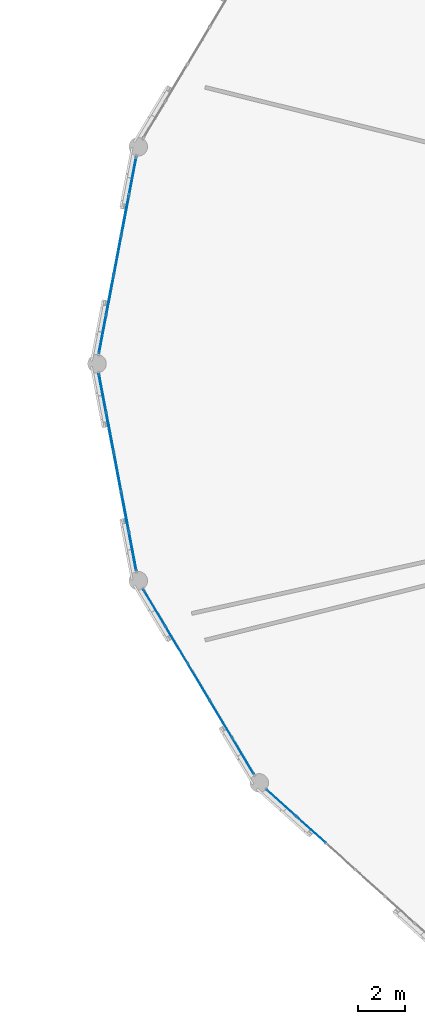
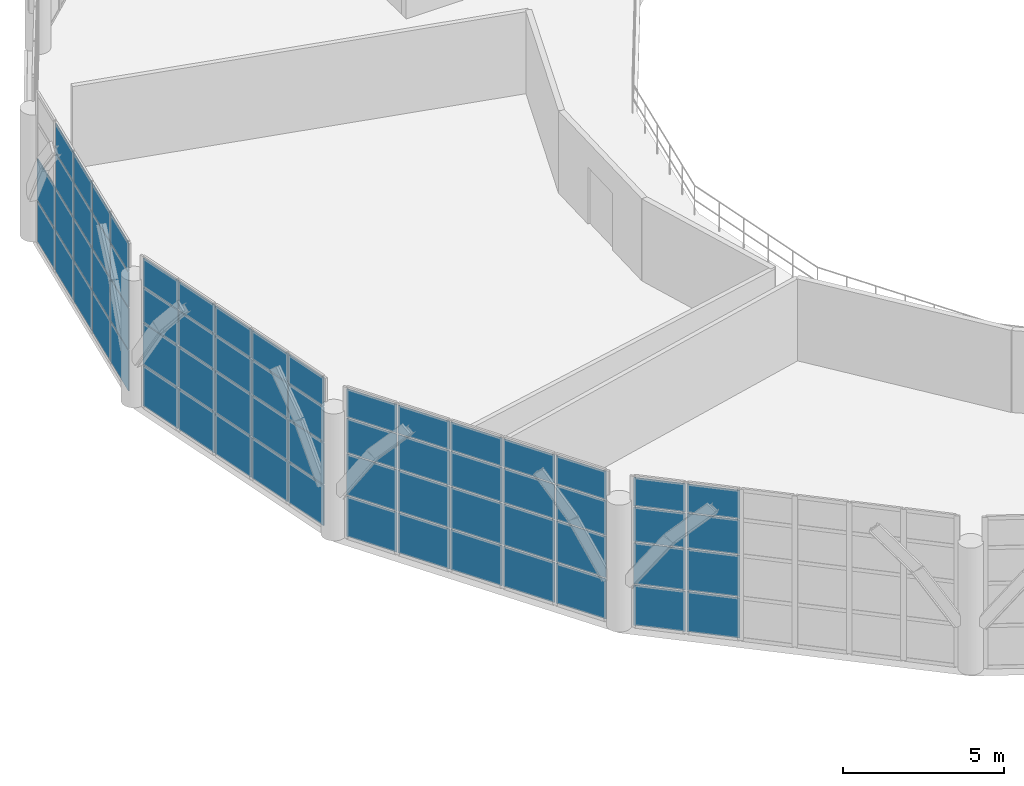
# One storey, part 67 of 109: 66 plates, 4 elements without a shape of their own.
"""IFC4 building model written with IfcOpenShell, lengths in metres."""

from ifc_helpers import new_model, si_unit, direction, frame, origin, origin_2d, place, context, subcontext, project, spatial, rectangle, extrude, material, layer, layer_set, type_object, element, aggregate, save


model = new_model("IFC4")

# Units and contexts
model_context = context("Model", 3, precision=1e-05, world=origin(), true_north=direction((0.0, 1.0)))
body_context = subcontext(model_context, "Body", "Model", "MODEL_VIEW")
ifc_project = project(units=[si_unit("LENGTHUNIT", "METRE"), si_unit("AREAUNIT", "SQUARE_METRE"), si_unit("VOLUMEUNIT", "CUBIC_METRE"), si_unit("PLANEANGLEUNIT", "RADIAN"), si_unit("MASSUNIT", "GRAM", prefix="KILO")], contexts=[model_context])

# Site, building, storey
site_placement = place(None, origin())
site = spatial("IfcSite", under=ifc_project, at=site_placement, CompositionType="ELEMENT")
building_placement = place(site_placement, origin())
building = spatial("IfcBuilding", under=site, at=building_placement, Name="Kivolera Central Railway Station", CompositionType="ELEMENT")
storey_placement = place(building_placement, frame((0.0, 0.0, 9.60009765625)))
storey = spatial("IfcBuildingStorey", under=building, at=storey_placement, Name="L02", CompositionType="ELEMENT", Elevation=9.60009765625)

# Curtain wall, plates
ifc_material_1 = material(Name="Anodised aluminium", Category="aluminium")
ifc_layer_1 = layer(ifc_material_1, 0.179931640625, Name="Anodised aluminium")
ifc_layer_set_1 = layer_set([ifc_layer_1], Name="Anodised aluminium")
curtain_wall_type_1 = type_object("IfcCurtainWallType", Name="CW-SYS-03", PredefinedType="NOTDEFINED", material=ifc_layer_set_1)
curtain_wall_1_placement = place(storey_placement, origin())
curtain_wall_1 = element("IfcCurtainWall", 1, at=curtain_wall_1_placement, inside=storey, type_object=curtain_wall_type_1, Name="L02 Curtain Wall CW-L02-OVL-13", PredefinedType="NOTDEFINED")
ifc_material_2 = material(Name="Double low-E laminated glass", Category="glass")
ifc_layer_2 = layer(ifc_material_2, 0.02587890625, Name="Double low-E laminated glass")
ifc_layer_set_2 = layer_set([ifc_layer_2], Name="Double low-E laminated glass")
plate_type_1 = type_object("IfcPlateType", Name="CWP-GLZ-1", PredefinedType="CURTAIN_PANEL", material=ifc_layer_set_2)
plate_1_placement = place(storey_placement, frame((18.2744140625, 73.15771484375, 0.057861328125), z_axis=(0.0, 0.0, 1.0), x_axis=(-0.513453894052, 0.858117182372, 0.0)))
plate_1 = element("IfcPlate", 2, at=plate_1_placement, type_object=plate_type_1, Name="CW-03 panel 1.1", PredefinedType="CURTAIN_PANEL", context=body_context, shape_type="SweptSolid", body=[
    extrude(rectangle(XDim=1.782958984375, YDim=0.02587890625, at=origin_2d()), origin(), (0.0, 0.0, 1.0), 1.51904296875),
])
plate_2_placement = place(storey_placement, frame((18.2744140625, 73.15771484375, 1.623046875), z_axis=(0.0, 0.0, 1.0), x_axis=(-0.513453894052, 0.858117182372, 0.0)))
plate_2 = element("IfcPlate", 3, at=plate_2_placement, type_object=plate_type_1, Name="CW-03 panel 1.2", PredefinedType="CURTAIN_PANEL", context=body_context, shape_type="SweptSolid", body=[
    extrude(rectangle(XDim=1.782958984375, YDim=0.02587890625, at=origin_2d()), origin(), (0.0, 0.0, 1.0), 1.553955078125),
])
plate_3_placement = place(storey_placement, frame((18.2744140625, 73.15771484375, 3.22314453125), z_axis=(0.0, 0.0, 1.0), x_axis=(-0.513453894052, 0.858117182372, 0.0)))
plate_3 = element("IfcPlate", 4, at=plate_3_placement, type_object=plate_type_1, Name="CW-03 panel 1.3", PredefinedType="CURTAIN_PANEL", context=body_context, shape_type="SweptSolid", body=[
    extrude(rectangle(XDim=1.782958984375, YDim=0.02587890625, at=origin_2d()), origin(), (0.0, 0.0, 1.0), 1.303955078125),
])
plate_4_placement = place(storey_placement, frame((18.2744140625, 73.15771484375, 4.57275390625), z_axis=(0.0, 0.0, 1.0), x_axis=(-0.513453894052, 0.858117182372, 0.0)))
plate_4 = element("IfcPlate", 5, at=plate_4_placement, type_object=plate_type_1, Name="CW-03 panel 1.4", PredefinedType="CURTAIN_PANEL", context=body_context, shape_type="SweptSolid", body=[
    extrude(rectangle(XDim=1.782958984375, YDim=0.02587890625, at=origin_2d()), origin(), (0.0, 0.0, 1.0), 1.069091796875),
])
plate_5_placement = place(storey_placement, frame((17.326416015625, 74.7421875, 0.057861328125), z_axis=(0.0, 0.0, 1.0), x_axis=(-0.513453894052, 0.858117182372, 0.0)))
plate_5 = element("IfcPlate", 6, at=plate_5_placement, type_object=plate_type_1, Name="CW-03 panel 2.1", PredefinedType="CURTAIN_PANEL", context=body_context, shape_type="SweptSolid", body=[
    extrude(rectangle(XDim=1.81787109375, YDim=0.02587890625, at=origin_2d()), origin(), (0.0, 0.0, 1.0), 1.51904296875),
])
plate_6_placement = place(storey_placement, frame((17.326416015625, 74.7421875, 1.623046875), z_axis=(0.0, 0.0, 1.0), x_axis=(-0.513453894052, 0.858117182372, 0.0)))
plate_6 = element("IfcPlate", 7, at=plate_6_placement, type_object=plate_type_1, Name="CW-03 panel 2.2", PredefinedType="CURTAIN_PANEL", context=body_context, shape_type="SweptSolid", body=[
    extrude(rectangle(XDim=1.81787109375, YDim=0.02587890625, at=origin_2d()), origin(), (0.0, 0.0, 1.0), 1.553955078125),
])
plate_7_placement = place(storey_placement, frame((17.326416015625, 74.7421875, 3.22314453125), z_axis=(0.0, 0.0, 1.0), x_axis=(-0.513453894052, 0.858117182372, 0.0)))
plate_7 = element("IfcPlate", 8, at=plate_7_placement, type_object=plate_type_1, Name="CW-03 panel 2.3", PredefinedType="CURTAIN_PANEL", context=body_context, shape_type="SweptSolid", body=[
    extrude(rectangle(XDim=1.81787109375, YDim=0.02587890625, at=origin_2d()), origin(), (0.0, 0.0, 1.0), 1.303955078125),
])
plate_8_placement = place(storey_placement, frame((17.326416015625, 74.7421875, 4.57275390625), z_axis=(0.0, 0.0, 1.0), x_axis=(-0.513453894052, 0.858117182372, 0.0)))
plate_8 = element("IfcPlate", 9, at=plate_8_placement, type_object=plate_type_1, Name="CW-03 panel 2.4", PredefinedType="CURTAIN_PANEL", context=body_context, shape_type="SweptSolid", body=[
    extrude(rectangle(XDim=1.81787109375, YDim=0.02587890625, at=origin_2d()), origin(), (0.0, 0.0, 1.0), 1.069091796875),
])
plate_9_placement = place(storey_placement, frame((16.369384765625, 76.341552734375, 0.057861328125), z_axis=(0.0, 0.0, 1.0), x_axis=(-0.513453894052, 0.858117182372, 0.0)))
plate_9 = element("IfcPlate", 10, at=plate_9_placement, type_object=plate_type_1, Name="CW-03 panel 3.1", PredefinedType="CURTAIN_PANEL", context=body_context, shape_type="SweptSolid", body=[
    extrude(rectangle(XDim=1.81787109375, YDim=0.02587890625, at=origin_2d()), origin(), (0.0, 0.0, 1.0), 1.51904296875),
])
plate_10_placement = place(storey_placement, frame((16.369384765625, 76.341552734375, 1.623046875), z_axis=(0.0, 0.0, 1.0), x_axis=(-0.513453894052, 0.858117182372, 0.0)))
plate_10 = element("IfcPlate", 11, at=plate_10_placement, type_object=plate_type_1, Name="CW-03 panel 3.2", PredefinedType="CURTAIN_PANEL", context=body_context, shape_type="SweptSolid", body=[
    extrude(rectangle(XDim=1.81787109375, YDim=0.02587890625, at=origin_2d()), origin(), (0.0, 0.0, 1.0), 1.553955078125),
])
plate_11_placement = place(storey_placement, frame((16.369384765625, 76.341552734375, 3.22314453125), z_axis=(0.0, 0.0, 1.0), x_axis=(-0.513453894052, 0.858117182372, 0.0)))
plate_11 = element("IfcPlate", 12, at=plate_11_placement, type_object=plate_type_1, Name="CW-03 panel 3.3", PredefinedType="CURTAIN_PANEL", context=body_context, shape_type="SweptSolid", body=[
    extrude(rectangle(XDim=1.81787109375, YDim=0.02587890625, at=origin_2d()), origin(), (0.0, 0.0, 1.0), 1.303955078125),
])
plate_12_placement = place(storey_placement, frame((16.369384765625, 76.341552734375, 4.57275390625), z_axis=(0.0, 0.0, 1.0), x_axis=(-0.513453894052, 0.858117182372, 0.0)))
plate_12 = element("IfcPlate", 13, at=plate_12_placement, type_object=plate_type_1, Name="CW-03 panel 3.4", PredefinedType="CURTAIN_PANEL", context=body_context, shape_type="SweptSolid", body=[
    extrude(rectangle(XDim=1.81787109375, YDim=0.02587890625, at=origin_2d()), origin(), (0.0, 0.0, 1.0), 1.069091796875),
])
plate_13_placement = place(storey_placement, frame((15.41259765625, 77.94091796875, 0.057861328125), z_axis=(0.0, 0.0, 1.0), x_axis=(-0.513453894052, 0.858117182372, 0.0)))
plate_13 = element("IfcPlate", 14, at=plate_13_placement, type_object=plate_type_1, Name="CW-03 panel 4.1", PredefinedType="CURTAIN_PANEL", context=body_context, shape_type="SweptSolid", body=[
    extrude(rectangle(XDim=1.81787109375, YDim=0.02587890625, at=origin_2d()), origin(), (0.0, 0.0, 1.0), 1.51904296875),
])
plate_14_placement = place(storey_placement, frame((15.41259765625, 77.94091796875, 1.623046875), z_axis=(0.0, 0.0, 1.0), x_axis=(-0.513453894052, 0.858117182372, 0.0)))
plate_14 = element("IfcPlate", 15, at=plate_14_placement, type_object=plate_type_1, Name="CW-03 panel 4.2", PredefinedType="CURTAIN_PANEL", context=body_context, shape_type="SweptSolid", body=[
    extrude(rectangle(XDim=1.81787109375, YDim=0.02587890625, at=origin_2d()), origin(), (0.0, 0.0, 1.0), 1.553955078125),
])
plate_15_placement = place(storey_placement, frame((15.41259765625, 77.94091796875, 3.22314453125), z_axis=(0.0, 0.0, 1.0), x_axis=(-0.513453894052, 0.858117182372, 0.0)))
plate_15 = element("IfcPlate", 16, at=plate_15_placement, type_object=plate_type_1, Name="CW-03 panel 4.3", PredefinedType="CURTAIN_PANEL", context=body_context, shape_type="SweptSolid", body=[
    extrude(rectangle(XDim=1.81787109375, YDim=0.02587890625, at=origin_2d()), origin(), (0.0, 0.0, 1.0), 1.303955078125),
])
plate_16_placement = place(storey_placement, frame((15.41259765625, 77.94091796875, 4.57275390625), z_axis=(0.0, 0.0, 1.0), x_axis=(-0.513453894052, 0.858117182372, 0.0)))
plate_16 = element("IfcPlate", 17, at=plate_16_placement, type_object=plate_type_1, Name="CW-03 panel 4.4", PredefinedType="CURTAIN_PANEL", context=body_context, shape_type="SweptSolid", body=[
    extrude(rectangle(XDim=1.81787109375, YDim=0.02587890625, at=origin_2d()), origin(), (0.0, 0.0, 1.0), 1.069091796875),
])
plate_17_placement = place(storey_placement, frame((14.464599609375, 79.525390625, 0.057861328125), z_axis=(0.0, 0.0, 1.0), x_axis=(-0.513453894052, 0.858117182372, 0.0)))
plate_17 = element("IfcPlate", 18, at=plate_17_placement, type_object=plate_type_1, Name="CW-03 panel 5.1", PredefinedType="CURTAIN_PANEL", context=body_context, shape_type="SweptSolid", body=[
    extrude(rectangle(XDim=1.782958984375, YDim=0.02587890625, at=origin_2d()), origin(), (0.0, 0.0, 1.0), 1.51904296875),
])
plate_18_placement = place(storey_placement, frame((14.464599609375, 79.525390625, 1.623046875), z_axis=(0.0, 0.0, 1.0), x_axis=(-0.513453894052, 0.858117182372, 0.0)))
plate_18 = element("IfcPlate", 19, at=plate_18_placement, type_object=plate_type_1, Name="CW-03 panel 5.2", PredefinedType="CURTAIN_PANEL", context=body_context, shape_type="SweptSolid", body=[
    extrude(rectangle(XDim=1.782958984375, YDim=0.02587890625, at=origin_2d()), origin(), (0.0, 0.0, 1.0), 1.553955078125),
])
plate_19_placement = place(storey_placement, frame((14.464599609375, 79.525390625, 3.22314453125), z_axis=(0.0, 0.0, 1.0), x_axis=(-0.513453894052, 0.858117182372, 0.0)))
plate_19 = element("IfcPlate", 20, at=plate_19_placement, type_object=plate_type_1, Name="CW-03 panel 5.3", PredefinedType="CURTAIN_PANEL", context=body_context, shape_type="SweptSolid", body=[
    extrude(rectangle(XDim=1.782958984375, YDim=0.02587890625, at=origin_2d()), origin(), (0.0, 0.0, 1.0), 1.303955078125),
])
plate_20_placement = place(storey_placement, frame((14.464599609375, 79.525390625, 4.57275390625), z_axis=(0.0, 0.0, 1.0), x_axis=(-0.513453894052, 0.858117182372, 0.0)))
plate_20 = element("IfcPlate", 21, at=plate_20_placement, type_object=plate_type_1, Name="CW-03 panel 5.4", PredefinedType="CURTAIN_PANEL", context=body_context, shape_type="SweptSolid", body=[
    extrude(rectangle(XDim=1.782958984375, YDim=0.02587890625, at=origin_2d()), origin(), (0.0, 0.0, 1.0), 1.069091796875),
])
aggregate(curtain_wall_1, [plate_1, plate_2, plate_3, plate_4, plate_5, plate_6, plate_7, plate_8, plate_9, plate_10, plate_11, plate_12, plate_13, plate_14, plate_15, plate_16, plate_17, plate_18, plate_19, plate_20])

ifc_layer_3 = layer(ifc_material_1, 0.179931640625, Name="Anodised aluminium")
ifc_layer_set_3 = layer_set([ifc_layer_3], Name="Anodised aluminium")
curtain_wall_type_2 = type_object("IfcCurtainWallType", Name="CW-SYS-06", PredefinedType="NOTDEFINED", material=ifc_layer_set_3)
curtain_wall_2_placement = place(storey_placement, origin())
curtain_wall_2 = element("IfcCurtainWall", 22, at=curtain_wall_2_placement, inside=storey, type_object=curtain_wall_type_2, Name="L02 Curtain Wall CW-L02-OVL-14", PredefinedType="NOTDEFINED")
ifc_layer_4 = layer(ifc_material_2, 0.030029296875, Name="Double low-E laminated glass")
ifc_layer_set_4 = layer_set([ifc_layer_4], Name="Double low-E laminated glass")
plate_type_2 = type_object("IfcPlateType", Name="CWP-GLZ-2", PredefinedType="CURTAIN_PANEL", material=ifc_layer_set_4)
plate_21_placement = place(storey_placement, frame((21.18115234375, 70.001953125, 0.057861328125), z_axis=(0.0, 0.0, 1.0), x_axis=(-0.742431873669, 0.669921572246, 0.0)))
plate_21 = element("IfcPlate", 23, at=plate_21_placement, type_object=plate_type_2, Name="CW-06 panel 5.1", PredefinedType="CURTAIN_PANEL", context=body_context, shape_type="SweptSolid", body=[
    extrude(rectangle(XDim=1.675537109375, YDim=0.030029296875, at=origin_2d()), origin(), (0.0, 0.0, 1.0), 1.51904296875),
])
plate_22_placement = place(storey_placement, frame((21.18115234375, 70.001953125, 1.623046875), z_axis=(0.0, 0.0, 1.0), x_axis=(-0.742431873669, 0.669921572246, 0.0)))
plate_22 = element("IfcPlate", 24, at=plate_22_placement, type_object=plate_type_2, Name="CW-06 panel 5.2", PredefinedType="CURTAIN_PANEL", context=body_context, shape_type="SweptSolid", body=[
    extrude(rectangle(XDim=1.675537109375, YDim=0.030029296875, at=origin_2d()), origin(), (0.0, 0.0, 1.0), 1.553955078125),
])
plate_23_placement = place(storey_placement, frame((21.18115234375, 70.001953125, 3.22314453125), z_axis=(0.0, 0.0, 1.0), x_axis=(-0.742431873669, 0.669921572246, 0.0)))
plate_23 = element("IfcPlate", 25, at=plate_23_placement, type_object=plate_type_2, Name="CW-06 panel 5.3", PredefinedType="CURTAIN_PANEL", context=body_context, shape_type="SweptSolid", body=[
    extrude(rectangle(XDim=1.675537109375, YDim=0.030029296875, at=origin_2d()), origin(), (0.0, 0.0, 1.0), 1.303955078125),
])
plate_24_placement = place(storey_placement, frame((21.18115234375, 70.001953125, 4.57275390625), z_axis=(0.0, 0.0, 1.0), x_axis=(-0.742431873669, 0.669921572246, 0.0)))
plate_24 = element("IfcPlate", 26, at=plate_24_placement, type_object=plate_type_2, Name="CW-06 panel 5.4", PredefinedType="CURTAIN_PANEL", context=body_context, shape_type="SweptSolid", body=[
    extrude(rectangle(XDim=1.675537109375, YDim=0.030029296875, at=origin_2d()), origin(), (0.0, 0.0, 1.0), 1.069091796875),
])
plate_25_placement = place(storey_placement, frame((19.916015625, 71.1435546875, 0.057861328125), z_axis=(0.0, 0.0, 1.0), x_axis=(-0.742431873669, 0.669921572246, 0.0)))
plate_25 = element("IfcPlate", 27, at=plate_25_placement, type_object=plate_type_2, Name="CW-06 panel 6.1", PredefinedType="CURTAIN_PANEL", context=body_context, shape_type="SweptSolid", body=[
    extrude(rectangle(XDim=1.640625, YDim=0.030029296875, at=origin_2d()), origin(), (0.0, 0.0, 1.0), 1.51904296875),
])
plate_26_placement = place(storey_placement, frame((19.916015625, 71.1435546875, 1.623046875), z_axis=(0.0, 0.0, 1.0), x_axis=(-0.742431873669, 0.669921572246, 0.0)))
plate_26 = element("IfcPlate", 28, at=plate_26_placement, type_object=plate_type_2, Name="CW-06 panel 6.2", PredefinedType="CURTAIN_PANEL", context=body_context, shape_type="SweptSolid", body=[
    extrude(rectangle(XDim=1.640625, YDim=0.030029296875, at=origin_2d()), origin(), (0.0, 0.0, 1.0), 1.553955078125),
])
plate_27_placement = place(storey_placement, frame((19.916015625, 71.1435546875, 3.22314453125), z_axis=(0.0, 0.0, 1.0), x_axis=(-0.742431873669, 0.669921572246, 0.0)))
plate_27 = element("IfcPlate", 29, at=plate_27_placement, type_object=plate_type_2, Name="CW-06 panel 6.3", PredefinedType="CURTAIN_PANEL", context=body_context, shape_type="SweptSolid", body=[
    extrude(rectangle(XDim=1.640625, YDim=0.030029296875, at=origin_2d()), origin(), (0.0, 0.0, 1.0), 1.303955078125),
])
plate_28_placement = place(storey_placement, frame((19.916015625, 71.1435546875, 4.57275390625), z_axis=(0.0, 0.0, 1.0), x_axis=(-0.742431873669, 0.669921572246, 0.0)))
plate_28 = element("IfcPlate", 30, at=plate_28_placement, type_object=plate_type_2, Name="CW-06 panel 6.4", PredefinedType="CURTAIN_PANEL", context=body_context, shape_type="SweptSolid", body=[
    extrude(rectangle(XDim=1.640625, YDim=0.030029296875, at=origin_2d()), origin(), (0.0, 0.0, 1.0), 1.069091796875),
])
aggregate(curtain_wall_2, [plate_21, plate_22, plate_23, plate_24, plate_25, plate_26, plate_27, plate_28])

ifc_layer_5 = layer(ifc_material_1, 0.179931640625, Name="Anodised aluminium")
ifc_layer_set_5 = layer_set([ifc_layer_5], Name="Anodised aluminium")
curtain_wall_type_3 = type_object("IfcCurtainWallType", Name="CW-SYS-15", PredefinedType="NOTDEFINED", material=ifc_layer_set_5)
curtain_wall_3_placement = place(storey_placement, origin())
curtain_wall_3 = element("IfcCurtainWall", 31, at=curtain_wall_3_placement, inside=storey, type_object=curtain_wall_type_3, Name="L02 Curtain Wall CW-L02-OVL-11", PredefinedType="NOTDEFINED")
ifc_layer_6 = layer(ifc_material_2, 0.0380859375, Name="Double low-E laminated glass")
ifc_layer_set_6 = layer_set([ifc_layer_6], Name="Double low-E laminated glass")
plate_type_3 = type_object("IfcPlateType", Name="CWP-GLZ-4", PredefinedType="CURTAIN_PANEL", material=ifc_layer_set_6)
plate_29_placement = place(storey_placement, frame((12.240478515625, 91.26318359375, 0.057861328125), z_axis=(0.0, 0.0, 1.0), x_axis=(0.186784012201, 0.982401004064, 0.0)))
plate_29 = element("IfcPlate", 32, at=plate_29_placement, type_object=plate_type_3, Name="CW-15 panel 1.1", PredefinedType="CURTAIN_PANEL", context=body_context, shape_type="SweptSolid", body=[
    extrude(rectangle(XDim=1.65576171875, YDim=0.0380859375, at=origin_2d()), origin(), (0.0, 0.0, 1.0), 1.51904296875),
])
plate_30_placement = place(storey_placement, frame((12.240478515625, 91.26318359375, 1.623046875), z_axis=(0.0, 0.0, 1.0), x_axis=(0.186784012201, 0.982401004064, 0.0)))
plate_30 = element("IfcPlate", 33, at=plate_30_placement, type_object=plate_type_3, Name="CW-15 panel 1.2", PredefinedType="CURTAIN_PANEL", context=body_context, shape_type="SweptSolid", body=[
    extrude(rectangle(XDim=1.65576171875, YDim=0.0380859375, at=origin_2d()), origin(), (0.0, 0.0, 1.0), 1.553955078125),
])
plate_31_placement = place(storey_placement, frame((12.240478515625, 91.26318359375, 3.22314453125), z_axis=(0.0, 0.0, 1.0), x_axis=(0.186784012201, 0.982401004064, 0.0)))
plate_31 = element("IfcPlate", 34, at=plate_31_placement, type_object=plate_type_3, Name="CW-15 panel 1.3", PredefinedType="CURTAIN_PANEL", context=body_context, shape_type="SweptSolid", body=[
    extrude(rectangle(XDim=1.65576171875, YDim=0.0380859375, at=origin_2d()), origin(), (0.0, 0.0, 1.0), 1.303955078125),
])
plate_32_placement = place(storey_placement, frame((12.240478515625, 91.26318359375, 4.57275390625), z_axis=(0.0, 0.0, 1.0), x_axis=(0.186784012201, 0.982401004064, 0.0)))
plate_32 = element("IfcPlate", 35, at=plate_32_placement, type_object=plate_type_3, Name="CW-15 panel 1.4", PredefinedType="CURTAIN_PANEL", context=body_context, shape_type="SweptSolid", body=[
    extrude(rectangle(XDim=1.65576171875, YDim=0.0380859375, at=origin_2d()), origin(), (0.0, 0.0, 1.0), 1.069091796875),
])
plate_33_placement = place(storey_placement, frame((12.5615234375, 92.952392578125, 0.057861328125), z_axis=(0.0, 0.0, 1.0), x_axis=(0.186784012201, 0.982401004064, 0.0)))
plate_33 = element("IfcPlate", 36, at=plate_33_placement, type_object=plate_type_3, Name="CW-15 panel 2.1", PredefinedType="CURTAIN_PANEL", context=body_context, shape_type="SweptSolid", body=[
    extrude(rectangle(XDim=1.690673828125, YDim=0.0380859375, at=origin_2d()), origin(), (0.0, 0.0, 1.0), 1.51904296875),
])
plate_34_placement = place(storey_placement, frame((12.5615234375, 92.952392578125, 1.623046875), z_axis=(0.0, 0.0, 1.0), x_axis=(0.186784012201, 0.982401004064, 0.0)))
plate_34 = element("IfcPlate", 37, at=plate_34_placement, type_object=plate_type_3, Name="CW-15 panel 2.2", PredefinedType="CURTAIN_PANEL", context=body_context, shape_type="SweptSolid", body=[
    extrude(rectangle(XDim=1.690673828125, YDim=0.0380859375, at=origin_2d()), origin(), (0.0, 0.0, 1.0), 1.553955078125),
])
plate_35_placement = place(storey_placement, frame((12.5615234375, 92.952392578125, 3.22314453125), z_axis=(0.0, 0.0, 1.0), x_axis=(0.186784012201, 0.982401004064, 0.0)))
plate_35 = element("IfcPlate", 38, at=plate_35_placement, type_object=plate_type_3, Name="CW-15 panel 2.3", PredefinedType="CURTAIN_PANEL", context=body_context, shape_type="SweptSolid", body=[
    extrude(rectangle(XDim=1.690673828125, YDim=0.0380859375, at=origin_2d()), origin(), (0.0, 0.0, 1.0), 1.303955078125),
])
plate_36_placement = place(storey_placement, frame((12.5615234375, 92.952392578125, 4.57275390625), z_axis=(0.0, 0.0, 1.0), x_axis=(0.186784012201, 0.982401004064, 0.0)))
plate_36 = element("IfcPlate", 39, at=plate_36_placement, type_object=plate_type_3, Name="CW-15 panel 2.4", PredefinedType="CURTAIN_PANEL", context=body_context, shape_type="SweptSolid", body=[
    extrude(rectangle(XDim=1.690673828125, YDim=0.0380859375, at=origin_2d()), origin(), (0.0, 0.0, 1.0), 1.069091796875),
])
plate_37_placement = place(storey_placement, frame((12.885986328125, 94.658447265625, 0.057861328125), z_axis=(0.0, 0.0, 1.0), x_axis=(0.186784012201, 0.982401004064, 0.0)))
plate_37 = element("IfcPlate", 40, at=plate_37_placement, type_object=plate_type_3, Name="CW-15 panel 3.1", PredefinedType="CURTAIN_PANEL", context=body_context, shape_type="SweptSolid", body=[
    extrude(rectangle(XDim=1.690673828125, YDim=0.0380859375, at=origin_2d()), origin(), (0.0, 0.0, 1.0), 1.51904296875),
])
plate_38_placement = place(storey_placement, frame((12.885986328125, 94.658447265625, 1.623046875), z_axis=(0.0, 0.0, 1.0), x_axis=(0.186784012201, 0.982401004064, 0.0)))
plate_38 = element("IfcPlate", 41, at=plate_38_placement, type_object=plate_type_3, Name="CW-15 panel 3.2", PredefinedType="CURTAIN_PANEL", context=body_context, shape_type="SweptSolid", body=[
    extrude(rectangle(XDim=1.690673828125, YDim=0.0380859375, at=origin_2d()), origin(), (0.0, 0.0, 1.0), 1.553955078125),
])
plate_39_placement = place(storey_placement, frame((12.885986328125, 94.658447265625, 3.22314453125), z_axis=(0.0, 0.0, 1.0), x_axis=(0.186784012201, 0.982401004064, 0.0)))
plate_39 = element("IfcPlate", 42, at=plate_39_placement, type_object=plate_type_3, Name="CW-15 panel 3.3", PredefinedType="CURTAIN_PANEL", context=body_context, shape_type="SweptSolid", body=[
    extrude(rectangle(XDim=1.690673828125, YDim=0.0380859375, at=origin_2d()), origin(), (0.0, 0.0, 1.0), 1.303955078125),
])
plate_40_placement = place(storey_placement, frame((12.885986328125, 94.658447265625, 4.57275390625), z_axis=(0.0, 0.0, 1.0), x_axis=(0.186784012201, 0.982401004064, 0.0)))
plate_40 = element("IfcPlate", 43, at=plate_40_placement, type_object=plate_type_3, Name="CW-15 panel 3.4", PredefinedType="CURTAIN_PANEL", context=body_context, shape_type="SweptSolid", body=[
    extrude(rectangle(XDim=1.690673828125, YDim=0.0380859375, at=origin_2d()), origin(), (0.0, 0.0, 1.0), 1.069091796875),
])
plate_41_placement = place(storey_placement, frame((13.21044921875, 96.36474609375, 0.057861328125), z_axis=(0.0, 0.0, 1.0), x_axis=(0.186784012201, 0.982401004064, 0.0)))
plate_41 = element("IfcPlate", 44, at=plate_41_placement, type_object=plate_type_3, Name="CW-15 panel 4.1", PredefinedType="CURTAIN_PANEL", context=body_context, shape_type="SweptSolid", body=[
    extrude(rectangle(XDim=1.690673828125, YDim=0.0380859375, at=origin_2d()), origin(), (0.0, 0.0, 1.0), 1.51904296875),
])
plate_42_placement = place(storey_placement, frame((13.21044921875, 96.36474609375, 1.623046875), z_axis=(0.0, 0.0, 1.0), x_axis=(0.186784012201, 0.982401004064, 0.0)))
plate_42 = element("IfcPlate", 45, at=plate_42_placement, type_object=plate_type_3, Name="CW-15 panel 4.2", PredefinedType="CURTAIN_PANEL", context=body_context, shape_type="SweptSolid", body=[
    extrude(rectangle(XDim=1.690673828125, YDim=0.0380859375, at=origin_2d()), origin(), (0.0, 0.0, 1.0), 1.553955078125),
])
plate_43_placement = place(storey_placement, frame((13.21044921875, 96.36474609375, 3.22314453125), z_axis=(0.0, 0.0, 1.0), x_axis=(0.186784012201, 0.982401004064, 0.0)))
plate_43 = element("IfcPlate", 46, at=plate_43_placement, type_object=plate_type_3, Name="CW-15 panel 4.3", PredefinedType="CURTAIN_PANEL", context=body_context, shape_type="SweptSolid", body=[
    extrude(rectangle(XDim=1.690673828125, YDim=0.0380859375, at=origin_2d()), origin(), (0.0, 0.0, 1.0), 1.303955078125),
])
plate_44_placement = place(storey_placement, frame((13.21044921875, 96.36474609375, 4.57275390625), z_axis=(0.0, 0.0, 1.0), x_axis=(0.186784012201, 0.982401004064, 0.0)))
plate_44 = element("IfcPlate", 47, at=plate_44_placement, type_object=plate_type_3, Name="CW-15 panel 4.4", PredefinedType="CURTAIN_PANEL", context=body_context, shape_type="SweptSolid", body=[
    extrude(rectangle(XDim=1.690673828125, YDim=0.0380859375, at=origin_2d()), origin(), (0.0, 0.0, 1.0), 1.069091796875),
])
plate_45_placement = place(storey_placement, frame((13.531494140625, 98.0537109375, 0.057861328125), z_axis=(0.0, 0.0, 1.0), x_axis=(0.186784012201, 0.982401004064, 0.0)))
plate_45 = element("IfcPlate", 48, at=plate_45_placement, type_object=plate_type_3, Name="CW-15 panel 5.1", PredefinedType="CURTAIN_PANEL", context=body_context, shape_type="SweptSolid", body=[
    extrude(rectangle(XDim=1.65576171875, YDim=0.0380859375, at=origin_2d()), origin(), (0.0, 0.0, 1.0), 1.51904296875),
])
plate_46_placement = place(storey_placement, frame((13.531494140625, 98.0537109375, 1.623046875), z_axis=(0.0, 0.0, 1.0), x_axis=(0.186784012201, 0.982401004064, 0.0)))
plate_46 = element("IfcPlate", 49, at=plate_46_placement, type_object=plate_type_3, Name="CW-15 panel 5.2", PredefinedType="CURTAIN_PANEL", context=body_context, shape_type="SweptSolid", body=[
    extrude(rectangle(XDim=1.65576171875, YDim=0.0380859375, at=origin_2d()), origin(), (0.0, 0.0, 1.0), 1.553955078125),
])
aggregate(curtain_wall_3, [plate_29, plate_30, plate_31, plate_32, plate_33, plate_34, plate_35, plate_36, plate_37, plate_38, plate_39, plate_40, plate_41, plate_42, plate_43, plate_44, plate_45, plate_46])

curtain_wall_4_placement = place(storey_placement, origin())
curtain_wall_4 = element("IfcCurtainWall", 50, at=curtain_wall_4_placement, inside=storey, type_object=curtain_wall_type_3, Name="L02 Curtain Wall CW-L02-OVL-12", PredefinedType="NOTDEFINED")
ifc_layer_7 = layer(ifc_material_2, 0.0419921875, Name="Double low-E laminated glass")
ifc_layer_set_7 = layer_set([ifc_layer_7], Name="Double low-E laminated glass")
plate_type_4 = type_object("IfcPlateType", Name="CWP-GLZ-5", PredefinedType="CURTAIN_PANEL", material=ifc_layer_set_7)
plate_47_placement = place(storey_placement, frame((13.531494140625, 81.9462890625, 0.057861328125), z_axis=(0.0, 0.0, 1.0), x_axis=(-0.186784012201, 0.982401004064, 0.0)))
plate_47 = element("IfcPlate", 51, at=plate_47_placement, type_object=plate_type_4, Name="CW-15 panel 1.1", PredefinedType="CURTAIN_PANEL", context=body_context, shape_type="SweptSolid", body=[
    extrude(rectangle(XDim=1.65576171875, YDim=0.0419921875, at=origin_2d()), origin(), (0.0, 0.0, 1.0), 1.51904296875),
])
plate_48_placement = place(storey_placement, frame((13.531494140625, 81.9462890625, 1.623046875), z_axis=(0.0, 0.0, 1.0), x_axis=(-0.186784012201, 0.982401004064, 0.0)))
plate_48 = element("IfcPlate", 52, at=plate_48_placement, type_object=plate_type_4, Name="CW-15 panel 1.2", PredefinedType="CURTAIN_PANEL", context=body_context, shape_type="SweptSolid", body=[
    extrude(rectangle(XDim=1.65576171875, YDim=0.0419921875, at=origin_2d()), origin(), (0.0, 0.0, 1.0), 1.553955078125),
])
plate_49_placement = place(storey_placement, frame((13.531494140625, 81.9462890625, 3.22314453125), z_axis=(0.0, 0.0, 1.0), x_axis=(-0.186784012201, 0.982401004064, 0.0)))
plate_49 = element("IfcPlate", 53, at=plate_49_placement, type_object=plate_type_4, Name="CW-15 panel 1.3", PredefinedType="CURTAIN_PANEL", context=body_context, shape_type="SweptSolid", body=[
    extrude(rectangle(XDim=1.65576171875, YDim=0.0419921875, at=origin_2d()), origin(), (0.0, 0.0, 1.0), 1.303955078125),
])
plate_50_placement = place(storey_placement, frame((13.531494140625, 81.9462890625, 4.57275390625), z_axis=(0.0, 0.0, 1.0), x_axis=(-0.186784012201, 0.982401004064, 0.0)))
plate_50 = element("IfcPlate", 54, at=plate_50_placement, type_object=plate_type_4, Name="CW-15 panel 1.4", PredefinedType="CURTAIN_PANEL", context=body_context, shape_type="SweptSolid", body=[
    extrude(rectangle(XDim=1.65576171875, YDim=0.0419921875, at=origin_2d()), origin(), (0.0, 0.0, 1.0), 1.069091796875),
])
plate_51_placement = place(storey_placement, frame((13.21044921875, 83.63525390625, 0.057861328125), z_axis=(0.0, 0.0, 1.0), x_axis=(-0.186784012201, 0.982401004064, 0.0)))
plate_51 = element("IfcPlate", 55, at=plate_51_placement, type_object=plate_type_4, Name="CW-15 panel 2.1", PredefinedType="CURTAIN_PANEL", context=body_context, shape_type="SweptSolid", body=[
    extrude(rectangle(XDim=1.690673828125, YDim=0.0419921875, at=origin_2d()), origin(), (0.0, 0.0, 1.0), 1.51904296875),
])
plate_52_placement = place(storey_placement, frame((13.21044921875, 83.63525390625, 1.623046875), z_axis=(0.0, 0.0, 1.0), x_axis=(-0.186784012201, 0.982401004064, 0.0)))
plate_52 = element("IfcPlate", 56, at=plate_52_placement, type_object=plate_type_4, Name="CW-15 panel 2.2", PredefinedType="CURTAIN_PANEL", context=body_context, shape_type="SweptSolid", body=[
    extrude(rectangle(XDim=1.690673828125, YDim=0.0419921875, at=origin_2d()), origin(), (0.0, 0.0, 1.0), 1.553955078125),
])
plate_53_placement = place(storey_placement, frame((13.21044921875, 83.63525390625, 3.22314453125), z_axis=(0.0, 0.0, 1.0), x_axis=(-0.186784012201, 0.982401004064, 0.0)))
plate_53 = element("IfcPlate", 57, at=plate_53_placement, type_object=plate_type_4, Name="CW-15 panel 2.3", PredefinedType="CURTAIN_PANEL", context=body_context, shape_type="SweptSolid", body=[
    extrude(rectangle(XDim=1.690673828125, YDim=0.0419921875, at=origin_2d()), origin(), (0.0, 0.0, 1.0), 1.303955078125),
])
plate_54_placement = place(storey_placement, frame((13.21044921875, 83.63525390625, 4.57275390625), z_axis=(0.0, 0.0, 1.0), x_axis=(-0.186784012201, 0.982401004064, 0.0)))
plate_54 = element("IfcPlate", 58, at=plate_54_placement, type_object=plate_type_4, Name="CW-15 panel 2.4", PredefinedType="CURTAIN_PANEL", context=body_context, shape_type="SweptSolid", body=[
    extrude(rectangle(XDim=1.690673828125, YDim=0.0419921875, at=origin_2d()), origin(), (0.0, 0.0, 1.0), 1.069091796875),
])
plate_55_placement = place(storey_placement, frame((12.885986328125, 85.341552734375, 0.057861328125), z_axis=(0.0, 0.0, 1.0), x_axis=(-0.186784012201, 0.982401004064, 0.0)))
plate_55 = element("IfcPlate", 59, at=plate_55_placement, type_object=plate_type_4, Name="CW-15 panel 3.1", PredefinedType="CURTAIN_PANEL", context=body_context, shape_type="SweptSolid", body=[
    extrude(rectangle(XDim=1.690673828125, YDim=0.0419921875, at=origin_2d()), origin(), (0.0, 0.0, 1.0), 1.51904296875),
])
plate_56_placement = place(storey_placement, frame((12.885986328125, 85.341552734375, 1.623046875), z_axis=(0.0, 0.0, 1.0), x_axis=(-0.186784012201, 0.982401004064, 0.0)))
plate_56 = element("IfcPlate", 60, at=plate_56_placement, type_object=plate_type_4, Name="CW-15 panel 3.2", PredefinedType="CURTAIN_PANEL", context=body_context, shape_type="SweptSolid", body=[
    extrude(rectangle(XDim=1.690673828125, YDim=0.0419921875, at=origin_2d()), origin(), (0.0, 0.0, 1.0), 1.553955078125),
])
plate_57_placement = place(storey_placement, frame((12.885986328125, 85.341552734375, 3.22314453125), z_axis=(0.0, 0.0, 1.0), x_axis=(-0.186784012201, 0.982401004064, 0.0)))
plate_57 = element("IfcPlate", 61, at=plate_57_placement, type_object=plate_type_4, Name="CW-15 panel 3.3", PredefinedType="CURTAIN_PANEL", context=body_context, shape_type="SweptSolid", body=[
    extrude(rectangle(XDim=1.690673828125, YDim=0.0419921875, at=origin_2d()), origin(), (0.0, 0.0, 1.0), 1.303955078125),
])
plate_58_placement = place(storey_placement, frame((12.885986328125, 85.341552734375, 4.57275390625), z_axis=(0.0, 0.0, 1.0), x_axis=(-0.186784012201, 0.982401004064, 0.0)))
plate_58 = element("IfcPlate", 62, at=plate_58_placement, type_object=plate_type_4, Name="CW-15 panel 3.4", PredefinedType="CURTAIN_PANEL", context=body_context, shape_type="SweptSolid", body=[
    extrude(rectangle(XDim=1.690673828125, YDim=0.0419921875, at=origin_2d()), origin(), (0.0, 0.0, 1.0), 1.069091796875),
])
plate_59_placement = place(storey_placement, frame((12.5615234375, 87.047607421875, 0.057861328125), z_axis=(0.0, 0.0, 1.0), x_axis=(-0.186784012201, 0.982401004064, 0.0)))
plate_59 = element("IfcPlate", 63, at=plate_59_placement, type_object=plate_type_4, Name="CW-15 panel 4.1", PredefinedType="CURTAIN_PANEL", context=body_context, shape_type="SweptSolid", body=[
    extrude(rectangle(XDim=1.690673828125, YDim=0.0419921875, at=origin_2d()), origin(), (0.0, 0.0, 1.0), 1.51904296875),
])
plate_60_placement = place(storey_placement, frame((12.5615234375, 87.047607421875, 1.623046875), z_axis=(0.0, 0.0, 1.0), x_axis=(-0.186784012201, 0.982401004064, 0.0)))
plate_60 = element("IfcPlate", 64, at=plate_60_placement, type_object=plate_type_4, Name="CW-15 panel 4.2", PredefinedType="CURTAIN_PANEL", context=body_context, shape_type="SweptSolid", body=[
    extrude(rectangle(XDim=1.690673828125, YDim=0.0419921875, at=origin_2d()), origin(), (0.0, 0.0, 1.0), 1.553955078125),
])
plate_61_placement = place(storey_placement, frame((12.5615234375, 87.047607421875, 3.22314453125), z_axis=(0.0, 0.0, 1.0), x_axis=(-0.186784012201, 0.982401004064, 0.0)))
plate_61 = element("IfcPlate", 65, at=plate_61_placement, type_object=plate_type_4, Name="CW-15 panel 4.3", PredefinedType="CURTAIN_PANEL", context=body_context, shape_type="SweptSolid", body=[
    extrude(rectangle(XDim=1.690673828125, YDim=0.0419921875, at=origin_2d()), origin(), (0.0, 0.0, 1.0), 1.303955078125),
])
plate_62_placement = place(storey_placement, frame((12.5615234375, 87.047607421875, 4.57275390625), z_axis=(0.0, 0.0, 1.0), x_axis=(-0.186784012201, 0.982401004064, 0.0)))
plate_62 = element("IfcPlate", 66, at=plate_62_placement, type_object=plate_type_4, Name="CW-15 panel 4.4", PredefinedType="CURTAIN_PANEL", context=body_context, shape_type="SweptSolid", body=[
    extrude(rectangle(XDim=1.690673828125, YDim=0.0419921875, at=origin_2d()), origin(), (0.0, 0.0, 1.0), 1.069091796875),
])
plate_63_placement = place(storey_placement, frame((12.240478515625, 88.73681640625, 0.057861328125), z_axis=(0.0, 0.0, 1.0), x_axis=(-0.186784012201, 0.982401004064, 0.0)))
plate_63 = element("IfcPlate", 67, at=plate_63_placement, type_object=plate_type_4, Name="CW-15 panel 5.1", PredefinedType="CURTAIN_PANEL", context=body_context, shape_type="SweptSolid", body=[
    extrude(rectangle(XDim=1.65576171875, YDim=0.0419921875, at=origin_2d()), origin(), (0.0, 0.0, 1.0), 1.51904296875),
])
plate_64_placement = place(storey_placement, frame((12.240478515625, 88.73681640625, 1.623046875), z_axis=(0.0, 0.0, 1.0), x_axis=(-0.186784012201, 0.982401004064, 0.0)))
plate_64 = element("IfcPlate", 68, at=plate_64_placement, type_object=plate_type_4, Name="CW-15 panel 5.2", PredefinedType="CURTAIN_PANEL", context=body_context, shape_type="SweptSolid", body=[
    extrude(rectangle(XDim=1.65576171875, YDim=0.0419921875, at=origin_2d()), origin(), (0.0, 0.0, 1.0), 1.553955078125),
])
plate_65_placement = place(storey_placement, frame((12.240478515625, 88.73681640625, 3.22314453125), z_axis=(0.0, 0.0, 1.0), x_axis=(-0.186784012201, 0.982401004064, 0.0)))
plate_65 = element("IfcPlate", 69, at=plate_65_placement, type_object=plate_type_4, Name="CW-15 panel 5.3", PredefinedType="CURTAIN_PANEL", context=body_context, shape_type="SweptSolid", body=[
    extrude(rectangle(XDim=1.65576171875, YDim=0.0419921875, at=origin_2d()), origin(), (0.0, 0.0, 1.0), 1.303955078125),
])
plate_66_placement = place(storey_placement, frame((12.240478515625, 88.73681640625, 4.57275390625), z_axis=(0.0, 0.0, 1.0), x_axis=(-0.186784012201, 0.982401004064, 0.0)))
plate_66 = element("IfcPlate", 70, at=plate_66_placement, type_object=plate_type_4, Name="CW-15 panel 5.4", PredefinedType="CURTAIN_PANEL", context=body_context, shape_type="SweptSolid", body=[
    extrude(rectangle(XDim=1.65576171875, YDim=0.0419921875, at=origin_2d()), origin(), (0.0, 0.0, 1.0), 1.069091796875),
])
aggregate(curtain_wall_4, [plate_47, plate_48, plate_49, plate_50, plate_51, plate_52, plate_53, plate_54, plate_55, plate_56, plate_57, plate_58, plate_59, plate_60, plate_61, plate_62, plate_63, plate_64, plate_65, plate_66])

save(model, "model.ifc")
